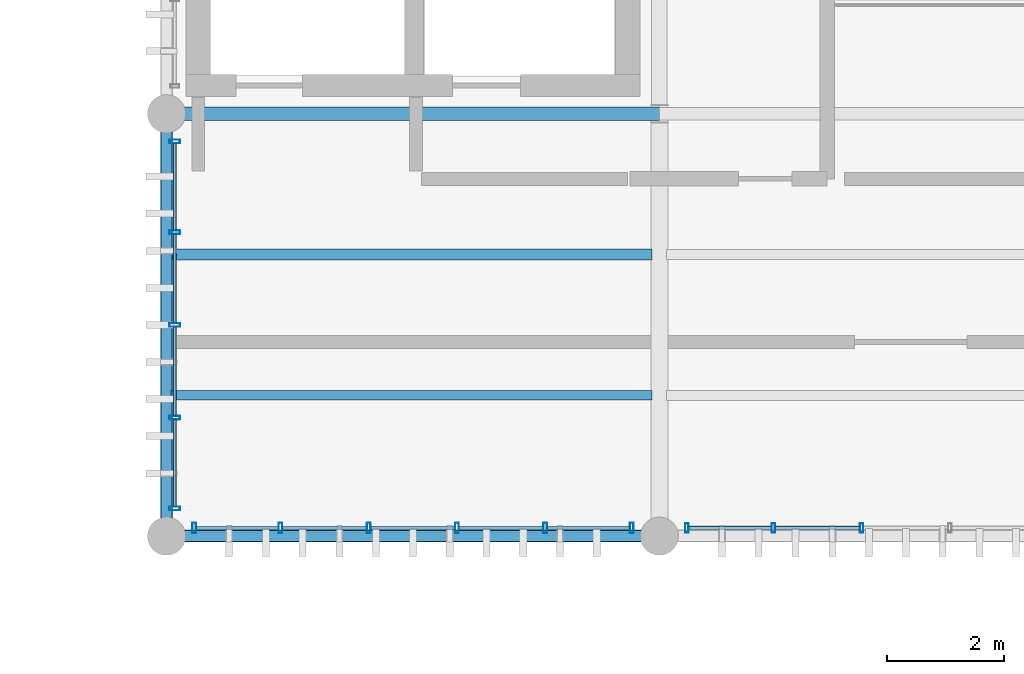
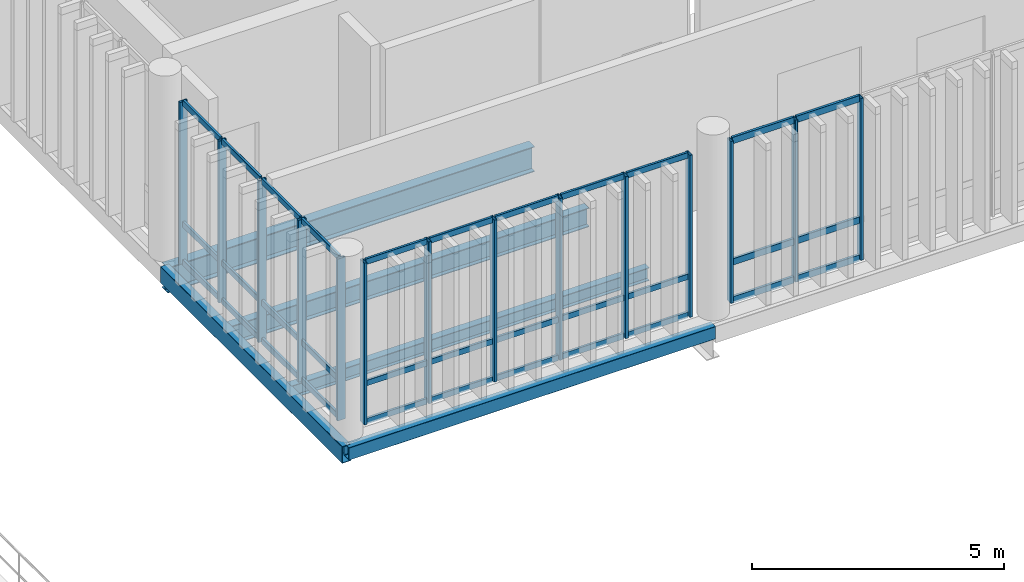
# One storey, part 16 of 66: 47 members, 5 beams, 3 elements without a shape of their own.
"""IFC4 building model written with IfcOpenShell, lengths in metres."""

from ifc_helpers import new_model, si_unit, direction, frame, origin_with_axes, origin_2d_with_axis, place, context, subcontext, project, spatial, hollow_rectangle, i_section, extrude, material, material_profile, profile_set, type_object, element, aggregate, save


model = new_model("IFC4")

# Units and contexts
model_context = context("Model", 3, precision=1e-05, world=origin_with_axes(), true_north=direction((0.0, 1.0)))
body_context = subcontext(model_context, "Body", "Model", "MODEL_VIEW")
ifc_project = project(units=[si_unit("LENGTHUNIT", "METRE"), si_unit("AREAUNIT", "SQUARE_METRE"), si_unit("VOLUMEUNIT", "CUBIC_METRE"), si_unit("PLANEANGLEUNIT", "RADIAN"), si_unit("MASSUNIT", "GRAM", prefix="KILO"), si_unit("THERMODYNAMICTEMPERATUREUNIT", "KELVIN")], contexts=[model_context])

# Site, building, storey
site_placement = place(None, origin_with_axes())
site = spatial("IfcSite", under=ifc_project, at=site_placement, CompositionType="ELEMENT")
building_placement = place(site_placement, origin_with_axes())
building = spatial("IfcBuilding", under=site, at=building_placement, Name="Montbau Bow Law Courts", CompositionType="ELEMENT")
storey_placement = place(building_placement, frame((0.0, 0.0, 34.5), z_axis=(0.0, 0.0, 1.0), x_axis=(1.0, 0.0, 0.0)))
storey = spatial("IfcBuildingStorey", under=building, at=storey_placement, Name="L07", CompositionType="ELEMENT", Elevation=34.5)

# Beams
ifc_material_1 = material(Name="Steel CSA G40.21 Grade 350W (350 MPa)", Category="steel")
ifc_material_profile_1 = material_profile(ifc_material_1, i_section(OverallWidth=0.229, OverallDepth=0.612, WebThickness=0.0119, FlangeThickness=0.0196, at=origin_2d_with_axis()), Name="W610X125", Category="Main", Priority=0)
ifc_profile_set_1 = profile_set([ifc_material_profile_1], Name="Steel CSA G40.21 Grade 350W (350 MPa)")
beam_type_1 = type_object("IfcBeamType", Name="B-FLR-05", PredefinedType="BEAM", material=ifc_profile_set_1)
beam_1_placement = place(None, frame((55.2, 46.2, 33.894), z_axis=(1.0, 0.0, 0.0), x_axis=(0.0, 1.0, 0.0)))
element("IfcBeam", 1, at=beam_1_placement, inside=storey, type_object=beam_type_1, Name="BM-L07-S1024:bm2_1027", PredefinedType="BEAM", context=body_context, shape_type="SweptSolid", body=[
    extrude(i_section(OverallWidth=0.229, OverallDepth=0.612, WebThickness=0.0119, FlangeThickness=0.0196, at=origin_2d_with_axis()), origin_with_axes(), (0.0, 0.0, 1.0), 8.4),
])
ifc_material_profile_2 = material_profile(ifc_material_1, i_section(OverallWidth=0.191, OverallDepth=0.46, WebThickness=0.0099, FlangeThickness=0.016, at=origin_2d_with_axis()), Name="W460X82", Category="Main", Priority=0)
ifc_profile_set_2 = profile_set([ifc_material_profile_2], Name="Steel CSA G40.21 Grade 350W (350 MPa)")
beam_type_2 = type_object("IfcBeamType", Name="B-JST-01", PredefinedType="JOIST", material=ifc_profile_set_2)
beam_2_placement = place(None, frame((55.28, 43.8, 33.97), z_axis=(1.0, 0.0, 0.0), x_axis=(0.0, 1.0, 0.0)))
element("IfcBeam", 2, at=beam_2_placement, inside=storey, type_object=beam_type_2, Name="JST-L07-S0528:jst2_0528", PredefinedType="JOIST", context=body_context, shape_type="SweptSolid", body=[
    extrude(i_section(OverallWidth=0.191, OverallDepth=0.46, WebThickness=0.0099, FlangeThickness=0.016, at=origin_2d_with_axis()), origin_with_axes(), (0.0, 0.0, 1.0), 8.197),
])
ifc_material_profile_3 = material_profile(ifc_material_1, i_section(OverallWidth=0.166, OverallDepth=0.313, WebThickness=0.0066, FlangeThickness=0.0112, at=origin_2d_with_axis()), Name="W310X45", Category="Main", Priority=0)
ifc_profile_set_3 = profile_set([ifc_material_profile_3], Name="Steel CSA G40.21 Grade 350W (350 MPa)")
beam_type_3 = type_object("IfcBeamType", Name="B-JST-04", PredefinedType="JOIST", material=ifc_profile_set_3)
beam_3_placement = place(None, frame((55.28, 41.4, 34.044), z_axis=(1.0, 0.0, 0.0), x_axis=(0.0, 1.0, 0.0)))
element("IfcBeam", 3, at=beam_3_placement, inside=storey, type_object=beam_type_3, Name="JST-L07-S0527:jst2_0527", PredefinedType="JOIST", context=body_context, shape_type="SweptSolid", body=[
    extrude(i_section(OverallWidth=0.166, OverallDepth=0.313, WebThickness=0.0066, FlangeThickness=0.0112, at=origin_2d_with_axis()), origin_with_axes(), (0.0, 0.0, 1.0), 8.197),
])
ifc_material_2 = material(Name="Steel CSA G40.21 Grade 350WT (350 MPa)", Category="steel")
ifc_material_profile_4 = material_profile(ifc_material_2, hollow_rectangle(XDim=0.203, YDim=0.406, WallThickness=0.0127, InnerFilletRadius=0.0254, OuterFilletRadius=0.0127, at=origin_2d_with_axis()), Name="HSS406X203X13", Category="Main", Priority=0)
ifc_profile_set_4 = profile_set([ifc_material_profile_4], Name="Steel CSA G40.21 Grade 350WT (350 MPa)")
beam_type_4 = type_object("IfcBeamType", Name="B-SPN-01", PredefinedType="SPANDREL", material=ifc_profile_set_4)
beam_4_placement = place(None, frame((55.2, 39.0, 33.997), z_axis=(0.0, 1.0, 0.0), x_axis=(-1.0, 0.0, 0.0)))
element("IfcBeam", 4, at=beam_4_placement, inside=storey, type_object=beam_type_4, Name="SPN-L07-S1042:bm2_1045", PredefinedType="SPANDREL", context=body_context, shape_type="SweptSolid", body=[
    extrude(hollow_rectangle(XDim=0.203, YDim=0.406, WallThickness=0.0127, InnerFilletRadius=0.0254, OuterFilletRadius=0.0127, at=origin_2d_with_axis()), origin_with_axes(), (0.0, 0.0, 1.0), 7.2),
])
ifc_material_profile_5 = material_profile(ifc_material_2, hollow_rectangle(XDim=0.203, YDim=0.305, WallThickness=0.0127, InnerFilletRadius=0.0254, OuterFilletRadius=0.0127, at=origin_2d_with_axis()), Name="HSS305X203X13", Category="Main", Priority=0)
ifc_profile_set_5 = profile_set([ifc_material_profile_5], Name="Steel CSA G40.21 Grade 350WT (350 MPa)")
beam_type_5 = type_object("IfcBeamType", Name="B-SPN-02", PredefinedType="SPANDREL", material=ifc_profile_set_5)
beam_5_placement = place(None, frame((55.2, 39.0, 34.047), z_axis=(1.0, 0.0, 0.0), x_axis=(0.0, 1.0, 0.0)))
element("IfcBeam", 5, at=beam_5_placement, inside=storey, type_object=beam_type_5, Name="SPN-L07-S1018:bm2_1021", PredefinedType="SPANDREL", context=body_context, shape_type="SweptSolid", body=[
    extrude(hollow_rectangle(XDim=0.203, YDim=0.305, WallThickness=0.0127, InnerFilletRadius=0.0254, OuterFilletRadius=0.0127, at=origin_2d_with_axis()), origin_with_axes(), (0.0, 0.0, 1.0), 8.4),
])

# Curtain wall, members
ifc_material_3 = material(Name="Thermally Broken Extruded Aluminium AA 6063-T6", Category="aluminium")
curtain_wall_type = type_object("IfcCurtainWallType", Name="CW-CRM-02", PredefinedType="NOTDEFINED", material=ifc_material_3)
curtain_wall_1_placement = place(None, frame((55.64, 39.14, 34.5), z_axis=(0.0, 0.0, 1.0), x_axis=(1.0, 0.0, 0.0)))
curtain_wall_1 = element("IfcCurtainWall", 6, at=curtain_wall_1_placement, inside=storey, type_object=curtain_wall_type, Name="CW-L07-241:cw_0241", PredefinedType="NOTDEFINED")
ifc_material_profile_6 = material_profile(ifc_material_3, hollow_rectangle(XDim=0.065, YDim=0.18, WallThickness=0.005, InnerFilletRadius=0.01, OuterFilletRadius=0.005, at=origin_2d_with_axis()), Name="CWM-180X65", Category="Main", Priority=0)
ifc_profile_set_6 = profile_set([ifc_material_profile_6], Name="Thermally Broken Extruded Aluminium AA 6063-T6")
member_type_1 = type_object("IfcMemberType", Name="M-MUL-02", PredefinedType="MULLION", material=ifc_profile_set_6)
member_1_placement = place(None, frame((55.673, 39.14, 34.5), z_axis=(0.0, 0.0, 1.0), x_axis=(1.0, 0.0, 0.0)))
member_1 = element("IfcMember", 7, at=member_1_placement, type_object=member_type_1, Name="CW-L07-241-M01:cw_0241_M01", PredefinedType="MULLION", context=body_context, shape_type="SweptSolid", body=[
    extrude(hollow_rectangle(XDim=0.065, YDim=0.18, WallThickness=0.005, InnerFilletRadius=0.01, OuterFilletRadius=0.005, at=origin_2d_with_axis()), origin_with_axes(), (0.0, 0.0, 1.0), 3.92),
])
member_2_placement = place(None, frame((57.144, 39.14, 34.5), z_axis=(0.0, 0.0, 1.0), x_axis=(1.0, 0.0, 0.0)))
member_2 = element("IfcMember", 8, at=member_2_placement, type_object=member_type_1, Name="CW-L07-241-M02:cw_0241_M02", PredefinedType="MULLION", context=body_context, shape_type="SweptSolid", body=[
    extrude(hollow_rectangle(XDim=0.065, YDim=0.18, WallThickness=0.005, InnerFilletRadius=0.01, OuterFilletRadius=0.005, at=origin_2d_with_axis()), origin_with_axes(), (0.0, 0.0, 1.0), 3.92),
])
member_3_placement = place(None, frame((58.648, 39.14, 34.5), z_axis=(0.0, 0.0, 1.0), x_axis=(1.0, 0.0, 0.0)))
member_3 = element("IfcMember", 9, at=member_3_placement, type_object=member_type_1, Name="CW-L07-241-M03:cw_0241_M03", PredefinedType="MULLION", context=body_context, shape_type="SweptSolid", body=[
    extrude(hollow_rectangle(XDim=0.065, YDim=0.18, WallThickness=0.005, InnerFilletRadius=0.01, OuterFilletRadius=0.005, at=origin_2d_with_axis()), origin_with_axes(), (0.0, 0.0, 1.0), 3.92),
])
member_4_placement = place(None, frame((60.152, 39.14, 34.5), z_axis=(0.0, 0.0, 1.0), x_axis=(1.0, 0.0, 0.0)))
member_4 = element("IfcMember", 10, at=member_4_placement, type_object=member_type_1, Name="CW-L07-241-M04:cw_0241_M04", PredefinedType="MULLION", context=body_context, shape_type="SweptSolid", body=[
    extrude(hollow_rectangle(XDim=0.065, YDim=0.18, WallThickness=0.005, InnerFilletRadius=0.01, OuterFilletRadius=0.005, at=origin_2d_with_axis()), origin_with_axes(), (0.0, 0.0, 1.0), 3.92),
])
member_5_placement = place(None, frame((61.656, 39.14, 34.5), z_axis=(0.0, 0.0, 1.0), x_axis=(1.0, 0.0, 0.0)))
member_5 = element("IfcMember", 11, at=member_5_placement, type_object=member_type_1, Name="CW-L07-241-M05:cw_0241_M05", PredefinedType="MULLION", context=body_context, shape_type="SweptSolid", body=[
    extrude(hollow_rectangle(XDim=0.065, YDim=0.18, WallThickness=0.005, InnerFilletRadius=0.01, OuterFilletRadius=0.005, at=origin_2d_with_axis()), origin_with_axes(), (0.0, 0.0, 1.0), 3.92),
])
member_6_placement = place(None, frame((63.127, 39.14, 34.5), z_axis=(0.0, 0.0, 1.0), x_axis=(1.0, 0.0, 0.0)))
member_6 = element("IfcMember", 12, at=member_6_placement, type_object=member_type_1, Name="CW-L07-241-M06:cw_0241_M06", PredefinedType="MULLION", context=body_context, shape_type="SweptSolid", body=[
    extrude(hollow_rectangle(XDim=0.065, YDim=0.18, WallThickness=0.005, InnerFilletRadius=0.01, OuterFilletRadius=0.005, at=origin_2d_with_axis()), origin_with_axes(), (0.0, 0.0, 1.0), 3.92),
])

curtain_wall_2_placement = place(None, frame((55.34, 39.44, 34.5), z_axis=(0.0, 0.0, 1.0), x_axis=(1.0, 0.0, 0.0)))
curtain_wall_2 = element("IfcCurtainWall", 13, at=curtain_wall_2_placement, inside=storey, type_object=curtain_wall_type, Name="CW-L07-253:cw_0253", PredefinedType="NOTDEFINED")
member_7_placement = place(None, frame((55.34, 39.473, 34.5), z_axis=(0.0, 0.0, 1.0), x_axis=(0.0, 1.0, 0.0)))
member_7 = element("IfcMember", 14, at=member_7_placement, type_object=member_type_1, Name="CW-L07-253-M01:cw_0253_M01", PredefinedType="MULLION", context=body_context, shape_type="SweptSolid", body=[
    extrude(hollow_rectangle(XDim=0.065, YDim=0.18, WallThickness=0.005, InnerFilletRadius=0.01, OuterFilletRadius=0.005, at=origin_2d_with_axis()), origin_with_axes(), (0.0, 0.0, 1.0), 3.92),
])
member_8_placement = place(None, frame((55.34, 41.02, 34.5), z_axis=(0.0, 0.0, 1.0), x_axis=(0.0, 1.0, 0.0)))
member_8 = element("IfcMember", 15, at=member_8_placement, type_object=member_type_1, Name="CW-L07-253-M02:cw_0253_M02", PredefinedType="MULLION", context=body_context, shape_type="SweptSolid", body=[
    extrude(hollow_rectangle(XDim=0.065, YDim=0.18, WallThickness=0.005, InnerFilletRadius=0.01, OuterFilletRadius=0.005, at=origin_2d_with_axis()), origin_with_axes(), (0.0, 0.0, 1.0), 3.92),
])
member_9_placement = place(None, frame((55.34, 42.6, 34.5), z_axis=(0.0, 0.0, 1.0), x_axis=(0.0, 1.0, 0.0)))
member_9 = element("IfcMember", 16, at=member_9_placement, type_object=member_type_1, Name="CW-L07-253-M03:cw_0253_M03", PredefinedType="MULLION", context=body_context, shape_type="SweptSolid", body=[
    extrude(hollow_rectangle(XDim=0.065, YDim=0.18, WallThickness=0.005, InnerFilletRadius=0.01, OuterFilletRadius=0.005, at=origin_2d_with_axis()), origin_with_axes(), (0.0, 0.0, 1.0), 3.92),
])
member_10_placement = place(None, frame((55.34, 44.18, 34.5), z_axis=(0.0, 0.0, 1.0), x_axis=(0.0, 1.0, 0.0)))
member_10 = element("IfcMember", 17, at=member_10_placement, type_object=member_type_1, Name="CW-L07-253-M04:cw_0253_M04", PredefinedType="MULLION", context=body_context, shape_type="SweptSolid", body=[
    extrude(hollow_rectangle(XDim=0.065, YDim=0.18, WallThickness=0.005, InnerFilletRadius=0.01, OuterFilletRadius=0.005, at=origin_2d_with_axis()), origin_with_axes(), (0.0, 0.0, 1.0), 3.92),
])
member_11_placement = place(None, frame((55.34, 45.728, 34.5), z_axis=(0.0, 0.0, 1.0), x_axis=(0.0, 1.0, 0.0)))
member_11 = element("IfcMember", 18, at=member_11_placement, type_object=member_type_1, Name="CW-L07-253-M05:cw_0253_M05", PredefinedType="MULLION", context=body_context, shape_type="SweptSolid", body=[
    extrude(hollow_rectangle(XDim=0.065, YDim=0.18, WallThickness=0.005, InnerFilletRadius=0.01, OuterFilletRadius=0.005, at=origin_2d_with_axis()), origin_with_axes(), (0.0, 0.0, 1.0), 3.92),
])

curtain_wall_3_placement = place(None, frame((64.04, 39.14, 34.5), z_axis=(0.0, 0.0, 1.0), x_axis=(1.0, 0.0, 0.0)))
curtain_wall_3 = element("IfcCurtainWall", 19, at=curtain_wall_3_placement, inside=storey, type_object=curtain_wall_type, Name="CW-L07-242:cw_0242", PredefinedType="NOTDEFINED")
ifc_material_profile_7 = material_profile(ifc_material_3, hollow_rectangle(XDim=0.06, YDim=0.16, WallThickness=0.004, InnerFilletRadius=0.008, OuterFilletRadius=0.004, at=origin_2d_with_axis()), Name="CWM-160X60", Category="Main", Priority=0)
ifc_profile_set_7 = profile_set([ifc_material_profile_7], Name="Thermally Broken Extruded Aluminium AA 6063-T6")
member_type_2 = type_object("IfcMemberType", Name="M-MUL-03", PredefinedType="MULLION", material=ifc_profile_set_7)
member_12_placement = place(None, frame((64.07, 39.14, 34.5), z_axis=(0.0, 0.0, 1.0), x_axis=(1.0, 0.0, 0.0)))
member_12 = element("IfcMember", 20, at=member_12_placement, type_object=member_type_2, Name="CW-L07-242-M01:cw_0242_M01", PredefinedType="MULLION", context=body_context, shape_type="SweptSolid", body=[
    extrude(hollow_rectangle(XDim=0.06, YDim=0.16, WallThickness=0.004, InnerFilletRadius=0.008, OuterFilletRadius=0.004, at=origin_2d_with_axis()), origin_with_axes(), (0.0, 0.0, 1.0), 3.92),
])
member_13_placement = place(None, frame((65.544, 39.14, 34.5), z_axis=(0.0, 0.0, 1.0), x_axis=(1.0, 0.0, 0.0)))
member_13 = element("IfcMember", 21, at=member_13_placement, type_object=member_type_2, Name="CW-L07-242-M02:cw_0242_M02", PredefinedType="MULLION", context=body_context, shape_type="SweptSolid", body=[
    extrude(hollow_rectangle(XDim=0.06, YDim=0.16, WallThickness=0.004, InnerFilletRadius=0.008, OuterFilletRadius=0.004, at=origin_2d_with_axis()), origin_with_axes(), (0.0, 0.0, 1.0), 3.92),
])
member_14_placement = place(None, frame((67.048, 39.14, 34.5), z_axis=(0.0, 0.0, 1.0), x_axis=(1.0, 0.0, 0.0)))
member_14 = element("IfcMember", 22, at=member_14_placement, type_object=member_type_2, Name="CW-L07-242-M03:cw_0242_M03", PredefinedType="MULLION", context=body_context, shape_type="SweptSolid", body=[
    extrude(hollow_rectangle(XDim=0.06, YDim=0.16, WallThickness=0.004, InnerFilletRadius=0.008, OuterFilletRadius=0.004, at=origin_2d_with_axis()), origin_with_axes(), (0.0, 0.0, 1.0), 3.92),
])
ifc_material_profile_8 = material_profile(ifc_material_3, hollow_rectangle(XDim=0.06, YDim=0.16, WallThickness=0.004, InnerFilletRadius=0.008, OuterFilletRadius=0.004, at=origin_2d_with_axis()), Name="CWT-160X60", Category="Main", Priority=0)
ifc_profile_set_8 = profile_set([ifc_material_profile_8], Name="Thermally Broken Extruded Aluminium AA 6063-T6")
member_type_3 = type_object("IfcMemberType", Name="M-TRN-01", PredefinedType="USERDEFINED", material=ifc_profile_set_8)
member_15_placement = place(None, frame((64.102, 39.14, 34.53), z_axis=(1.0, 0.0, 0.0), x_axis=(0.0, 1.0, 0.0)))
member_15 = element("IfcMember", 23, at=member_15_placement, type_object=member_type_3, Name="CW-L07-242-T01-1:cw_0242_T01_1", ObjectType="TRANSOM", PredefinedType="USERDEFINED", context=body_context, shape_type="SweptSolid", body=[
    extrude(hollow_rectangle(XDim=0.06, YDim=0.16, WallThickness=0.004, InnerFilletRadius=0.008, OuterFilletRadius=0.004, at=origin_2d_with_axis()), origin_with_axes(), (0.0, 0.0, 1.0), 1.41),
])
member_16_placement = place(None, frame((64.102, 39.14, 35.45), z_axis=(1.0, 0.0, 0.0), x_axis=(0.0, 1.0, 0.0)))
member_16 = element("IfcMember", 24, at=member_16_placement, type_object=member_type_3, Name="CW-L07-242-T01-2:cw_0242_T01_2", ObjectType="TRANSOM", PredefinedType="USERDEFINED", context=body_context, shape_type="SweptSolid", body=[
    extrude(hollow_rectangle(XDim=0.06, YDim=0.16, WallThickness=0.004, InnerFilletRadius=0.008, OuterFilletRadius=0.004, at=origin_2d_with_axis()), origin_with_axes(), (0.0, 0.0, 1.0), 1.41),
])
member_17_placement = place(None, frame((64.102, 39.14, 38.39), z_axis=(1.0, 0.0, 0.0), x_axis=(0.0, 1.0, 0.0)))
member_17 = element("IfcMember", 25, at=member_17_placement, type_object=member_type_3, Name="CW-L07-242-T01-3:cw_0242_T01_3", ObjectType="TRANSOM", PredefinedType="USERDEFINED", context=body_context, shape_type="SweptSolid", body=[
    extrude(hollow_rectangle(XDim=0.06, YDim=0.16, WallThickness=0.004, InnerFilletRadius=0.008, OuterFilletRadius=0.004, at=origin_2d_with_axis()), origin_with_axes(), (0.0, 0.0, 1.0), 1.41),
])
member_18_placement = place(None, frame((65.576, 39.14, 34.53), z_axis=(1.0, 0.0, 0.0), x_axis=(0.0, 1.0, 0.0)))
member_18 = element("IfcMember", 26, at=member_18_placement, type_object=member_type_3, Name="CW-L07-242-T02-1:cw_0242_T02_1", ObjectType="TRANSOM", PredefinedType="USERDEFINED", context=body_context, shape_type="SweptSolid", body=[
    extrude(hollow_rectangle(XDim=0.06, YDim=0.16, WallThickness=0.004, InnerFilletRadius=0.008, OuterFilletRadius=0.004, at=origin_2d_with_axis()), origin_with_axes(), (0.0, 0.0, 1.0), 1.44),
])
member_19_placement = place(None, frame((65.576, 39.14, 35.45), z_axis=(1.0, 0.0, 0.0), x_axis=(0.0, 1.0, 0.0)))
member_19 = element("IfcMember", 27, at=member_19_placement, type_object=member_type_3, Name="CW-L07-242-T02-2:cw_0242_T02_2", ObjectType="TRANSOM", PredefinedType="USERDEFINED", context=body_context, shape_type="SweptSolid", body=[
    extrude(hollow_rectangle(XDim=0.06, YDim=0.16, WallThickness=0.004, InnerFilletRadius=0.008, OuterFilletRadius=0.004, at=origin_2d_with_axis()), origin_with_axes(), (0.0, 0.0, 1.0), 1.44),
])
member_20_placement = place(None, frame((65.576, 39.14, 38.39), z_axis=(1.0, 0.0, 0.0), x_axis=(0.0, 1.0, 0.0)))
member_20 = element("IfcMember", 28, at=member_20_placement, type_object=member_type_3, Name="CW-L07-242-T02-3:cw_0242_T02_3", ObjectType="TRANSOM", PredefinedType="USERDEFINED", context=body_context, shape_type="SweptSolid", body=[
    extrude(hollow_rectangle(XDim=0.06, YDim=0.16, WallThickness=0.004, InnerFilletRadius=0.008, OuterFilletRadius=0.004, at=origin_2d_with_axis()), origin_with_axes(), (0.0, 0.0, 1.0), 1.44),
])
aggregate(curtain_wall_3, [member_12, member_13, member_14, member_15, member_16, member_17, member_18, member_19, member_20])

# Member
ifc_material_profile_9 = material_profile(ifc_material_3, hollow_rectangle(XDim=0.055, YDim=0.14, WallThickness=0.004, InnerFilletRadius=0.008, OuterFilletRadius=0.004, at=origin_2d_with_axis()), Name="CWT-140X55", Category="Main", Priority=0)
ifc_profile_set_9 = profile_set([ifc_material_profile_9], Name="Thermally Broken Extruded Aluminium AA 6063-T6")
member_type_4 = type_object("IfcMemberType", Name="M-TRN-02", PredefinedType="USERDEFINED", material=ifc_profile_set_9)
member_21_placement = place(None, frame((55.708, 39.14, 34.528), z_axis=(1.0, 0.0, 0.0), x_axis=(0.0, 1.0, 0.0)))
member_21 = element("IfcMember", 29, at=member_21_placement, type_object=member_type_4, Name="CW-L07-241-T01-1:cw_0241_T01_1", ObjectType="TRANSOM", PredefinedType="USERDEFINED", context=body_context, shape_type="SweptSolid", body=[
    extrude(hollow_rectangle(XDim=0.055, YDim=0.14, WallThickness=0.004, InnerFilletRadius=0.008, OuterFilletRadius=0.004, at=origin_2d_with_axis()), origin_with_axes(), (0.0, 0.0, 1.0), 1.402),
])

member_22_placement = place(None, frame((55.708, 39.14, 35.45), z_axis=(1.0, 0.0, 0.0), x_axis=(0.0, 1.0, 0.0)))
member_22 = element("IfcMember", 30, at=member_22_placement, type_object=member_type_4, Name="CW-L07-241-T01-2:cw_0241_T01_2", ObjectType="TRANSOM", PredefinedType="USERDEFINED", context=body_context, shape_type="SweptSolid", body=[
    extrude(hollow_rectangle(XDim=0.055, YDim=0.14, WallThickness=0.004, InnerFilletRadius=0.008, OuterFilletRadius=0.004, at=origin_2d_with_axis()), origin_with_axes(), (0.0, 0.0, 1.0), 1.402),
])

member_23_placement = place(None, frame((55.708, 39.14, 38.392), z_axis=(1.0, 0.0, 0.0), x_axis=(0.0, 1.0, 0.0)))
member_23 = element("IfcMember", 31, at=member_23_placement, type_object=member_type_4, Name="CW-L07-241-T01-3:cw_0241_T01_3", ObjectType="TRANSOM", PredefinedType="USERDEFINED", context=body_context, shape_type="SweptSolid", body=[
    extrude(hollow_rectangle(XDim=0.055, YDim=0.14, WallThickness=0.004, InnerFilletRadius=0.008, OuterFilletRadius=0.004, at=origin_2d_with_axis()), origin_with_axes(), (0.0, 0.0, 1.0), 1.402),
])

member_24_placement = place(None, frame((57.178, 39.14, 34.528), z_axis=(1.0, 0.0, 0.0), x_axis=(0.0, 1.0, 0.0)))
member_24 = element("IfcMember", 32, at=member_24_placement, type_object=member_type_4, Name="CW-L07-241-T02-1:cw_0241_T02_1", ObjectType="TRANSOM", PredefinedType="USERDEFINED", context=body_context, shape_type="SweptSolid", body=[
    extrude(hollow_rectangle(XDim=0.055, YDim=0.14, WallThickness=0.004, InnerFilletRadius=0.008, OuterFilletRadius=0.004, at=origin_2d_with_axis()), origin_with_axes(), (0.0, 0.0, 1.0), 1.436),
])

member_25_placement = place(None, frame((57.178, 39.14, 35.45), z_axis=(1.0, 0.0, 0.0), x_axis=(0.0, 1.0, 0.0)))
member_25 = element("IfcMember", 33, at=member_25_placement, type_object=member_type_4, Name="CW-L07-241-T02-2:cw_0241_T02_2", ObjectType="TRANSOM", PredefinedType="USERDEFINED", context=body_context, shape_type="SweptSolid", body=[
    extrude(hollow_rectangle(XDim=0.055, YDim=0.14, WallThickness=0.004, InnerFilletRadius=0.008, OuterFilletRadius=0.004, at=origin_2d_with_axis()), origin_with_axes(), (0.0, 0.0, 1.0), 1.436),
])

member_26_placement = place(None, frame((57.178, 39.14, 38.392), z_axis=(1.0, 0.0, 0.0), x_axis=(0.0, 1.0, 0.0)))
member_26 = element("IfcMember", 34, at=member_26_placement, type_object=member_type_4, Name="CW-L07-241-T02-3:cw_0241_T02_3", ObjectType="TRANSOM", PredefinedType="USERDEFINED", context=body_context, shape_type="SweptSolid", body=[
    extrude(hollow_rectangle(XDim=0.055, YDim=0.14, WallThickness=0.004, InnerFilletRadius=0.008, OuterFilletRadius=0.004, at=origin_2d_with_axis()), origin_with_axes(), (0.0, 0.0, 1.0), 1.436),
])

member_27_placement = place(None, frame((58.682, 39.14, 34.528), z_axis=(1.0, 0.0, 0.0), x_axis=(0.0, 1.0, 0.0)))
member_27 = element("IfcMember", 35, at=member_27_placement, type_object=member_type_4, Name="CW-L07-241-T03-1:cw_0241_T03_1", ObjectType="TRANSOM", PredefinedType="USERDEFINED", context=body_context, shape_type="SweptSolid", body=[
    extrude(hollow_rectangle(XDim=0.055, YDim=0.14, WallThickness=0.004, InnerFilletRadius=0.008, OuterFilletRadius=0.004, at=origin_2d_with_axis()), origin_with_axes(), (0.0, 0.0, 1.0), 1.436),
])

member_28_placement = place(None, frame((58.682, 39.14, 35.45), z_axis=(1.0, 0.0, 0.0), x_axis=(0.0, 1.0, 0.0)))
member_28 = element("IfcMember", 36, at=member_28_placement, type_object=member_type_4, Name="CW-L07-241-T03-2:cw_0241_T03_2", ObjectType="TRANSOM", PredefinedType="USERDEFINED", context=body_context, shape_type="SweptSolid", body=[
    extrude(hollow_rectangle(XDim=0.055, YDim=0.14, WallThickness=0.004, InnerFilletRadius=0.008, OuterFilletRadius=0.004, at=origin_2d_with_axis()), origin_with_axes(), (0.0, 0.0, 1.0), 1.436),
])

member_29_placement = place(None, frame((58.682, 39.14, 38.392), z_axis=(1.0, 0.0, 0.0), x_axis=(0.0, 1.0, 0.0)))
member_29 = element("IfcMember", 37, at=member_29_placement, type_object=member_type_4, Name="CW-L07-241-T03-3:cw_0241_T03_3", ObjectType="TRANSOM", PredefinedType="USERDEFINED", context=body_context, shape_type="SweptSolid", body=[
    extrude(hollow_rectangle(XDim=0.055, YDim=0.14, WallThickness=0.004, InnerFilletRadius=0.008, OuterFilletRadius=0.004, at=origin_2d_with_axis()), origin_with_axes(), (0.0, 0.0, 1.0), 1.436),
])

member_30_placement = place(None, frame((60.186, 39.14, 34.528), z_axis=(1.0, 0.0, 0.0), x_axis=(0.0, 1.0, 0.0)))
member_30 = element("IfcMember", 38, at=member_30_placement, type_object=member_type_4, Name="CW-L07-241-T04-1:cw_0241_T04_1", ObjectType="TRANSOM", PredefinedType="USERDEFINED", context=body_context, shape_type="SweptSolid", body=[
    extrude(hollow_rectangle(XDim=0.055, YDim=0.14, WallThickness=0.004, InnerFilletRadius=0.008, OuterFilletRadius=0.004, at=origin_2d_with_axis()), origin_with_axes(), (0.0, 0.0, 1.0), 1.436),
])

member_31_placement = place(None, frame((60.186, 39.14, 35.45), z_axis=(1.0, 0.0, 0.0), x_axis=(0.0, 1.0, 0.0)))
member_31 = element("IfcMember", 39, at=member_31_placement, type_object=member_type_4, Name="CW-L07-241-T04-2:cw_0241_T04_2", ObjectType="TRANSOM", PredefinedType="USERDEFINED", context=body_context, shape_type="SweptSolid", body=[
    extrude(hollow_rectangle(XDim=0.055, YDim=0.14, WallThickness=0.004, InnerFilletRadius=0.008, OuterFilletRadius=0.004, at=origin_2d_with_axis()), origin_with_axes(), (0.0, 0.0, 1.0), 1.436),
])

member_32_placement = place(None, frame((60.186, 39.14, 38.392), z_axis=(1.0, 0.0, 0.0), x_axis=(0.0, 1.0, 0.0)))
member_32 = element("IfcMember", 40, at=member_32_placement, type_object=member_type_4, Name="CW-L07-241-T04-3:cw_0241_T04_3", ObjectType="TRANSOM", PredefinedType="USERDEFINED", context=body_context, shape_type="SweptSolid", body=[
    extrude(hollow_rectangle(XDim=0.055, YDim=0.14, WallThickness=0.004, InnerFilletRadius=0.008, OuterFilletRadius=0.004, at=origin_2d_with_axis()), origin_with_axes(), (0.0, 0.0, 1.0), 1.436),
])

member_33_placement = place(None, frame((61.69, 39.14, 34.528), z_axis=(1.0, 0.0, 0.0), x_axis=(0.0, 1.0, 0.0)))
member_33 = element("IfcMember", 41, at=member_33_placement, type_object=member_type_4, Name="CW-L07-241-T05-1:cw_0241_T05_1", ObjectType="TRANSOM", PredefinedType="USERDEFINED", context=body_context, shape_type="SweptSolid", body=[
    extrude(hollow_rectangle(XDim=0.055, YDim=0.14, WallThickness=0.004, InnerFilletRadius=0.008, OuterFilletRadius=0.004, at=origin_2d_with_axis()), origin_with_axes(), (0.0, 0.0, 1.0), 1.403),
])

member_34_placement = place(None, frame((61.69, 39.14, 35.45), z_axis=(1.0, 0.0, 0.0), x_axis=(0.0, 1.0, 0.0)))
member_34 = element("IfcMember", 42, at=member_34_placement, type_object=member_type_4, Name="CW-L07-241-T05-2:cw_0241_T05_2", ObjectType="TRANSOM", PredefinedType="USERDEFINED", context=body_context, shape_type="SweptSolid", body=[
    extrude(hollow_rectangle(XDim=0.055, YDim=0.14, WallThickness=0.004, InnerFilletRadius=0.008, OuterFilletRadius=0.004, at=origin_2d_with_axis()), origin_with_axes(), (0.0, 0.0, 1.0), 1.403),
])

member_35_placement = place(None, frame((61.69, 39.14, 38.392), z_axis=(1.0, 0.0, 0.0), x_axis=(0.0, 1.0, 0.0)))
member_35 = element("IfcMember", 43, at=member_35_placement, type_object=member_type_4, Name="CW-L07-241-T05-3:cw_0241_T05_3", ObjectType="TRANSOM", PredefinedType="USERDEFINED", context=body_context, shape_type="SweptSolid", body=[
    extrude(hollow_rectangle(XDim=0.055, YDim=0.14, WallThickness=0.004, InnerFilletRadius=0.008, OuterFilletRadius=0.004, at=origin_2d_with_axis()), origin_with_axes(), (0.0, 0.0, 1.0), 1.403),
])

aggregate(curtain_wall_1, [member_1, member_2, member_3, member_4, member_5, member_6, member_21, member_22, member_23, member_24, member_25, member_26, member_27, member_28, member_29, member_30, member_31, member_32, member_33, member_34, member_35])

member_36_placement = place(None, frame((55.34, 39.508, 34.528), z_axis=(0.0, 1.0, 0.0), x_axis=(-1.0, 0.0, 0.0)))
member_36 = element("IfcMember", 44, at=member_36_placement, type_object=member_type_4, Name="CW-L07-253-T01-1:cw_0253_T01_1", ObjectType="TRANSOM", PredefinedType="USERDEFINED", context=body_context, shape_type="SweptSolid", body=[
    extrude(hollow_rectangle(XDim=0.055, YDim=0.14, WallThickness=0.004, InnerFilletRadius=0.008, OuterFilletRadius=0.004, at=origin_2d_with_axis()), origin_with_axes(), (0.0, 0.0, 1.0), 1.478),
])

member_37_placement = place(None, frame((55.34, 39.508, 35.45), z_axis=(0.0, 1.0, 0.0), x_axis=(-1.0, 0.0, 0.0)))
member_37 = element("IfcMember", 45, at=member_37_placement, type_object=member_type_4, Name="CW-L07-253-T01-2:cw_0253_T01_2", ObjectType="TRANSOM", PredefinedType="USERDEFINED", context=body_context, shape_type="SweptSolid", body=[
    extrude(hollow_rectangle(XDim=0.055, YDim=0.14, WallThickness=0.004, InnerFilletRadius=0.008, OuterFilletRadius=0.004, at=origin_2d_with_axis()), origin_with_axes(), (0.0, 0.0, 1.0), 1.478),
])

member_38_placement = place(None, frame((55.34, 39.508, 38.392), z_axis=(0.0, 1.0, 0.0), x_axis=(-1.0, 0.0, 0.0)))
member_38 = element("IfcMember", 46, at=member_38_placement, type_object=member_type_4, Name="CW-L07-253-T01-3:cw_0253_T01_3", ObjectType="TRANSOM", PredefinedType="USERDEFINED", context=body_context, shape_type="SweptSolid", body=[
    extrude(hollow_rectangle(XDim=0.055, YDim=0.14, WallThickness=0.004, InnerFilletRadius=0.008, OuterFilletRadius=0.004, at=origin_2d_with_axis()), origin_with_axes(), (0.0, 0.0, 1.0), 1.478),
])

member_39_placement = place(None, frame((55.34, 41.055, 34.528), z_axis=(0.0, 1.0, 0.0), x_axis=(-1.0, 0.0, 0.0)))
member_39 = element("IfcMember", 47, at=member_39_placement, type_object=member_type_4, Name="CW-L07-253-T02-1:cw_0253_T02_1", ObjectType="TRANSOM", PredefinedType="USERDEFINED", context=body_context, shape_type="SweptSolid", body=[
    extrude(hollow_rectangle(XDim=0.055, YDim=0.14, WallThickness=0.004, InnerFilletRadius=0.008, OuterFilletRadius=0.004, at=origin_2d_with_axis()), origin_with_axes(), (0.0, 0.0, 1.0), 1.511),
])

member_40_placement = place(None, frame((55.34, 41.055, 35.45), z_axis=(0.0, 1.0, 0.0), x_axis=(-1.0, 0.0, 0.0)))
member_40 = element("IfcMember", 48, at=member_40_placement, type_object=member_type_4, Name="CW-L07-253-T02-2:cw_0253_T02_2", ObjectType="TRANSOM", PredefinedType="USERDEFINED", context=body_context, shape_type="SweptSolid", body=[
    extrude(hollow_rectangle(XDim=0.055, YDim=0.14, WallThickness=0.004, InnerFilletRadius=0.008, OuterFilletRadius=0.004, at=origin_2d_with_axis()), origin_with_axes(), (0.0, 0.0, 1.0), 1.511),
])

member_41_placement = place(None, frame((55.34, 41.055, 38.392), z_axis=(0.0, 1.0, 0.0), x_axis=(-1.0, 0.0, 0.0)))
member_41 = element("IfcMember", 49, at=member_41_placement, type_object=member_type_4, Name="CW-L07-253-T02-3:cw_0253_T02_3", ObjectType="TRANSOM", PredefinedType="USERDEFINED", context=body_context, shape_type="SweptSolid", body=[
    extrude(hollow_rectangle(XDim=0.055, YDim=0.14, WallThickness=0.004, InnerFilletRadius=0.008, OuterFilletRadius=0.004, at=origin_2d_with_axis()), origin_with_axes(), (0.0, 0.0, 1.0), 1.511),
])

member_42_placement = place(None, frame((55.34, 42.635, 34.528), z_axis=(0.0, 1.0, 0.0), x_axis=(-1.0, 0.0, 0.0)))
member_42 = element("IfcMember", 50, at=member_42_placement, type_object=member_type_4, Name="CW-L07-253-T03-1:cw_0253_T03_1", ObjectType="TRANSOM", PredefinedType="USERDEFINED", context=body_context, shape_type="SweptSolid", body=[
    extrude(hollow_rectangle(XDim=0.055, YDim=0.14, WallThickness=0.004, InnerFilletRadius=0.008, OuterFilletRadius=0.004, at=origin_2d_with_axis()), origin_with_axes(), (0.0, 0.0, 1.0), 1.511),
])

member_43_placement = place(None, frame((55.34, 42.635, 35.45), z_axis=(0.0, 1.0, 0.0), x_axis=(-1.0, 0.0, 0.0)))
member_43 = element("IfcMember", 51, at=member_43_placement, type_object=member_type_4, Name="CW-L07-253-T03-2:cw_0253_T03_2", ObjectType="TRANSOM", PredefinedType="USERDEFINED", context=body_context, shape_type="SweptSolid", body=[
    extrude(hollow_rectangle(XDim=0.055, YDim=0.14, WallThickness=0.004, InnerFilletRadius=0.008, OuterFilletRadius=0.004, at=origin_2d_with_axis()), origin_with_axes(), (0.0, 0.0, 1.0), 1.511),
])

member_44_placement = place(None, frame((55.34, 42.635, 38.392), z_axis=(0.0, 1.0, 0.0), x_axis=(-1.0, 0.0, 0.0)))
member_44 = element("IfcMember", 52, at=member_44_placement, type_object=member_type_4, Name="CW-L07-253-T03-3:cw_0253_T03_3", ObjectType="TRANSOM", PredefinedType="USERDEFINED", context=body_context, shape_type="SweptSolid", body=[
    extrude(hollow_rectangle(XDim=0.055, YDim=0.14, WallThickness=0.004, InnerFilletRadius=0.008, OuterFilletRadius=0.004, at=origin_2d_with_axis()), origin_with_axes(), (0.0, 0.0, 1.0), 1.511),
])

member_45_placement = place(None, frame((55.34, 44.214, 34.528), z_axis=(0.0, 1.0, 0.0), x_axis=(-1.0, 0.0, 0.0)))
member_45 = element("IfcMember", 53, at=member_45_placement, type_object=member_type_4, Name="CW-L07-253-T04-1:cw_0253_T04_1", ObjectType="TRANSOM", PredefinedType="USERDEFINED", context=body_context, shape_type="SweptSolid", body=[
    extrude(hollow_rectangle(XDim=0.055, YDim=0.14, WallThickness=0.004, InnerFilletRadius=0.008, OuterFilletRadius=0.004, at=origin_2d_with_axis()), origin_with_axes(), (0.0, 0.0, 1.0), 1.48),
])

member_46_placement = place(None, frame((55.34, 44.214, 35.45), z_axis=(0.0, 1.0, 0.0), x_axis=(-1.0, 0.0, 0.0)))
member_46 = element("IfcMember", 54, at=member_46_placement, type_object=member_type_4, Name="CW-L07-253-T04-2:cw_0253_T04_2", ObjectType="TRANSOM", PredefinedType="USERDEFINED", context=body_context, shape_type="SweptSolid", body=[
    extrude(hollow_rectangle(XDim=0.055, YDim=0.14, WallThickness=0.004, InnerFilletRadius=0.008, OuterFilletRadius=0.004, at=origin_2d_with_axis()), origin_with_axes(), (0.0, 0.0, 1.0), 1.48),
])

member_47_placement = place(None, frame((55.34, 44.214, 38.392), z_axis=(0.0, 1.0, 0.0), x_axis=(-1.0, 0.0, 0.0)))
member_47 = element("IfcMember", 55, at=member_47_placement, type_object=member_type_4, Name="CW-L07-253-T04-3:cw_0253_T04_3", ObjectType="TRANSOM", PredefinedType="USERDEFINED", context=body_context, shape_type="SweptSolid", body=[
    extrude(hollow_rectangle(XDim=0.055, YDim=0.14, WallThickness=0.004, InnerFilletRadius=0.008, OuterFilletRadius=0.004, at=origin_2d_with_axis()), origin_with_axes(), (0.0, 0.0, 1.0), 1.48),
])

aggregate(curtain_wall_2, [member_7, member_8, member_9, member_10, member_11, member_36, member_37, member_38, member_39, member_40, member_41, member_42, member_43, member_44, member_45, member_46, member_47])

save(model, "model.ifc")
